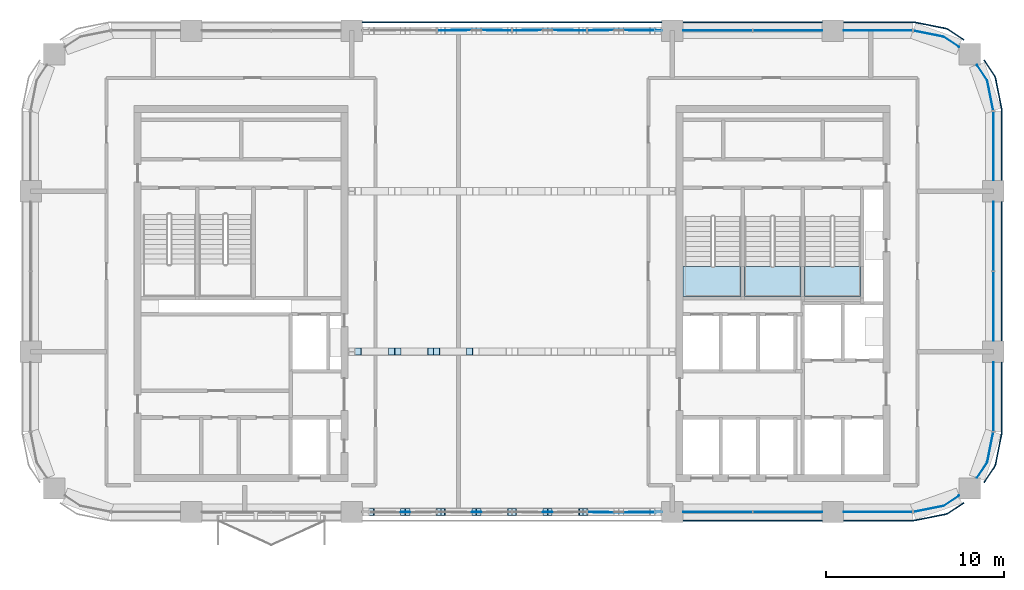
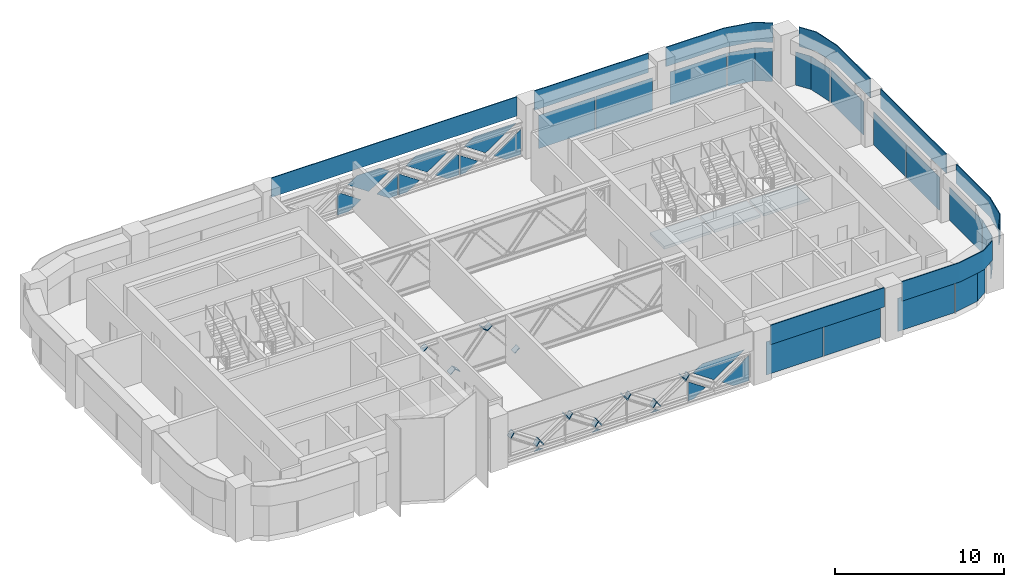
# One storey, part 7 of 14: 56 plates, 3 slabs, 12 elements without a shape of their own.
"""IFC4 building model written with IfcOpenShell, lengths in metres."""

from ifc_helpers import new_model, si_unit, direction, frame, origin, origin_2d, place, context, subcontext, project, spatial, polyline, rectangle, outline, extrude, material, layer, layer_set, type_object, element, aggregate, save


model = new_model("IFC4")

# Units and contexts
model_context = context("Model", 3, precision=1e-05, world=origin(), true_north=direction((0.0, 1.0)))
body_context = subcontext(model_context, "Body", "Model", "MODEL_VIEW")
ifc_project = project(units=[si_unit("LENGTHUNIT", "METRE"), si_unit("AREAUNIT", "SQUARE_METRE"), si_unit("VOLUMEUNIT", "CUBIC_METRE"), si_unit("PLANEANGLEUNIT", "RADIAN"), si_unit("MASSUNIT", "GRAM", prefix="KILO")], contexts=[model_context])

# Site, building, storey
site_placement = place(None, origin())
site = spatial("IfcSite", under=ifc_project, at=site_placement, CompositionType="ELEMENT")
building_placement = place(site_placement, origin())
building = spatial("IfcBuilding", under=site, at=building_placement, Name="Tessera Arch", CompositionType="ELEMENT")
storey_placement = place(building_placement, frame((0.0, 0.0, 226.699951171875)))
storey = spatial("IfcBuildingStorey", under=building, at=storey_placement, Name="L54", CompositionType="ELEMENT", Elevation=226.699951171875)

# Curtain wall, plates
ifc_material_1 = material(Name="CW1 curtain wall")
curtain_wall_type_1 = type_object("IfcCurtainWallType", Name="CW1 curtain wall", PredefinedType="NOTDEFINED", material=ifc_material_1)
curtain_wall_1_placement = place(storey_placement, origin())
curtain_wall_1 = element("IfcCurtainWall", 1, at=curtain_wall_1_placement, inside=storey, type_object=curtain_wall_type_1, Name="CW1 curtain wall E54.27/0 L54", PredefinedType="NOTDEFINED")
ifc_material_2 = material(Name="Clear low-e glass", Category="glass")
ifc_material_3 = material(Name="Clear low-e glass", Category="glass")
ifc_layer_1 = layer(ifc_material_3, 0.028076171875)
ifc_layer_set_1 = layer_set([ifc_layer_1], Name="CW1 glass panel")
plate_type_1 = type_object("IfcPlateType", Name="CW1 glass panel", PredefinedType="CURTAIN_PANEL", material=ifc_layer_set_1)
plate_1_placement = place(storey_placement, frame((54.0, 38.534912109375, 0.0), z_axis=(0.0, 0.0, 1.0), x_axis=(0.0, 1.0, 0.0)))
plate_1 = element("IfcPlate", 2, at=plate_1_placement, type_object=plate_type_1, material=ifc_material_2, Name="CW1 glass panel E54.27/0 1.1.1", PredefinedType="CURTAIN_PANEL", context=body_context, shape_type="SweptSolid", body=[
    extrude(rectangle(XDim=3.8701171875, YDim=0.028076171875, at=origin_2d()), origin(), (0.0, 0.0, 1.0), 2.39990234375),
])
plate_2_placement = place(storey_placement, frame((54.0, 42.465087890625, 0.0), z_axis=(0.0, 0.0, 1.0), x_axis=(0.0, 1.0, 0.0)))
plate_2 = element("IfcPlate", 3, at=plate_2_placement, type_object=plate_type_1, material=ifc_material_2, Name="CW1 glass panel E54.27/0 1.2.1", PredefinedType="CURTAIN_PANEL", context=body_context, shape_type="SweptSolid", body=[
    extrude(rectangle(XDim=3.8701171875, YDim=0.028076171875, at=origin_2d()), origin(), (0.0, 0.0, 1.0), 2.39990234375),
])

curtain_wall_2_placement = place(storey_placement, origin())
curtain_wall_2 = element("IfcCurtainWall", 4, at=curtain_wall_2_placement, inside=storey, type_object=curtain_wall_type_1, Name="CW1 curtain wall N54.0/1 L54", PredefinedType="NOTDEFINED")
plate_3_placement = place(storey_placement, frame((42.465087890625, 54.0, 0.0), z_axis=(0.0, 0.0, 1.0), x_axis=(-1.0, 0.0, 0.0)))
plate_3 = element("IfcPlate", 5, at=plate_3_placement, type_object=plate_type_1, material=ifc_material_2, Name="CW1 glass panel N54.0/1 1.1.1", PredefinedType="CURTAIN_PANEL", context=body_context, shape_type="SweptSolid", body=[
    extrude(rectangle(XDim=3.8701171875, YDim=0.028076171875, at=origin_2d()), origin(), (0.0, 0.0, 1.0), 2.39990234375),
])
plate_4_placement = place(storey_placement, frame((38.534912109375, 54.0, 0.0), z_axis=(0.0, 0.0, 1.0), x_axis=(-1.0, 0.0, 0.0)))
plate_4 = element("IfcPlate", 6, at=plate_4_placement, type_object=plate_type_1, material=ifc_material_2, Name="CW1 glass panel N54.0/1 1.2.1", PredefinedType="CURTAIN_PANEL", context=body_context, shape_type="SweptSolid", body=[
    extrude(rectangle(XDim=3.8701171875, YDim=0.028076171875, at=origin_2d()), origin(), (0.0, 0.0, 1.0), 2.39990234375),
])

curtain_wall_3_placement = place(storey_placement, origin())
curtain_wall_3 = element("IfcCurtainWall", 7, at=curtain_wall_3_placement, inside=storey, type_object=curtain_wall_type_1, Name="CW1 curtain wall S27.0/3 L54", PredefinedType="NOTDEFINED")
plate_5_placement = place(storey_placement, frame((38.534912109375, 27.0, 0.0), z_axis=(0.0, 0.0, 1.0), x_axis=(1.0, 0.0, 0.0)))
plate_5 = element("IfcPlate", 8, at=plate_5_placement, type_object=plate_type_1, material=ifc_material_2, Name="CW1 glass panel S27.0/3 1.1.1", PredefinedType="CURTAIN_PANEL", context=body_context, shape_type="SweptSolid", body=[
    extrude(rectangle(XDim=3.8701171875, YDim=0.028076171875, at=origin_2d()), origin(), (0.0, 0.0, 1.0), 2.39990234375),
])
plate_6_placement = place(storey_placement, frame((42.465087890625, 27.0, 0.0), z_axis=(0.0, 0.0, 1.0), x_axis=(1.0, 0.0, 0.0)))
plate_6 = element("IfcPlate", 9, at=plate_6_placement, type_object=plate_type_1, material=ifc_material_2, Name="CW1 glass panel S27.0/3 1.2.1", PredefinedType="CURTAIN_PANEL", context=body_context, shape_type="SweptSolid", body=[
    extrude(rectangle(XDim=3.8701171875, YDim=0.028076171875, at=origin_2d()), origin(), (0.0, 0.0, 1.0), 2.39990234375),
])

# Plate
ifc_material_4 = material(Name="Pale anodised aluminium panel", Category="aluminium")
ifc_layer_2 = layer(ifc_material_4, 0.06005859375)
ifc_layer_set_2 = layer_set([ifc_layer_2], Name="CW1 spandrel panel")
plate_type_2 = type_object("IfcPlateType", Name="CW1 spandrel panel", PredefinedType="CURTAIN_PANEL", material=ifc_layer_set_2)
plate_7_placement = place(storey_placement, frame((54.47998046875, 40.5, 2.5), z_axis=(0.0, 0.0, 1.0), x_axis=(0.0, 1.0, 0.0)))
plate_7 = element("IfcPlate", 10, at=plate_7_placement, type_object=plate_type_2, Name="CW1 spandrel panel E54.27/0", PredefinedType="CURTAIN_PANEL", context=body_context, shape_type="SweptSolid", body=[
    extrude(rectangle(XDim=7.800048828125, YDim=0.06005859375, at=origin_2d()), origin(), (0.0, 0.0, 1.0), 1.39990234375),
])

aggregate(curtain_wall_1, [plate_1, plate_2, plate_7])

plate_8_placement = place(storey_placement, frame((40.5, 54.47998046875, 2.5), z_axis=(0.0, 0.0, 1.0), x_axis=(-1.0, 0.0, 0.0)))
plate_8 = element("IfcPlate", 11, at=plate_8_placement, type_object=plate_type_2, Name="CW1 spandrel panel N54.0/1", PredefinedType="CURTAIN_PANEL", context=body_context, shape_type="SweptSolid", body=[
    extrude(rectangle(XDim=7.800048828125, YDim=0.06005859375, at=origin_2d()), origin(), (0.0, 0.0, 1.0), 1.39990234375),
])

aggregate(curtain_wall_2, [plate_3, plate_4, plate_8])

plate_9_placement = place(storey_placement, frame((40.5, 26.52001953125, 2.5), z_axis=(0.0, 0.0, 1.0), x_axis=(1.0, 0.0, 0.0)))
plate_9 = element("IfcPlate", 12, at=plate_9_placement, type_object=plate_type_2, Name="CW1 spandrel panel S27.0/3", PredefinedType="CURTAIN_PANEL", context=body_context, shape_type="SweptSolid", body=[
    extrude(rectangle(XDim=7.800048828125, YDim=0.06005859375, at=origin_2d()), origin(), (0.0, 0.0, 1.0), 1.39990234375),
])

aggregate(curtain_wall_3, [plate_5, plate_6, plate_9])

# Curtain wall, plates
ifc_material_5 = material(Name="CW2 curtain wall")
curtain_wall_type_2 = type_object("IfcCurtainWallType", Name="CW2 curtain wall", PredefinedType="NOTDEFINED", material=ifc_material_5)
curtain_wall_4_placement = place(storey_placement, origin())
curtain_wall_4 = element("IfcCurtainWall", 13, at=curtain_wall_4_placement, inside=storey, type_object=curtain_wall_type_2, Name="CW2 curtain wall E54.27/1 L54", PredefinedType="NOTDEFINED")
ifc_material_6 = material(Name="Clear low-e glass", Category="glass")
ifc_layer_3 = layer(ifc_material_6, 0.028076171875)
ifc_layer_set_3 = layer_set([ifc_layer_3], Name="CW2 glass panel")
plate_type_3 = type_object("IfcPlateType", Name="CW2 glass panel", PredefinedType="CURTAIN_PANEL", material=ifc_layer_set_3)
plate_10_placement = place(storey_placement, frame((54.0, 47.530029296875, 0.0), z_axis=(0.0, 0.0, 1.0), x_axis=(0.0, 1.0, 0.0)))
plate_10 = element("IfcPlate", 14, at=plate_10_placement, type_object=plate_type_3, material=ifc_material_2, Name="CW2 glass panel E54.27/1 1.1", PredefinedType="CURTAIN_PANEL", context=body_context, shape_type="SweptSolid", body=[
    extrude(rectangle(XDim=3.860107421875, YDim=0.028076171875, at=origin_2d()), origin(), (0.0, 0.0, 1.0), 2.39990234375),
])
plate_11_placement = place(storey_placement, origin())
plate_11 = element("IfcPlate", 15, at=plate_11_placement, type_object=plate_type_3, material=ifc_material_2, Name="CW2 curved glass panel E54.27/1 2.1", PredefinedType="CURTAIN_PANEL", context=body_context, shape_type="SweptSolid", body=[
    extrude(outline(polyline([(53.644287109375, 51.216552734375), (53.978515625, 49.53662109375), (54.005859375, 49.5419921875), (53.670654296875, 51.2275390625), (53.094482421875, 52.08984375), (53.0712890625, 52.07421875), (53.644287109375, 51.216552734375)])), origin(), (0.0, 0.0, 1.0), 2.400146484375),
])

curtain_wall_5_placement = place(storey_placement, origin())
curtain_wall_5 = element("IfcCurtainWall", 16, at=curtain_wall_5_placement, inside=storey, type_object=curtain_wall_type_2, Name="CW2 curtain wall N54.0/0 L54", PredefinedType="NOTDEFINED")
plate_12_placement = place(storey_placement, frame((47.530029296875, 54.0, 0.0), z_axis=(0.0, 0.0, 1.0), x_axis=(-1.0, 0.0, 0.0)))
plate_12 = element("IfcPlate", 17, at=plate_12_placement, type_object=plate_type_3, material=ifc_material_2, Name="CW2 glass panel N54.0/0 1.1", PredefinedType="CURTAIN_PANEL", context=body_context, shape_type="SweptSolid", body=[
    extrude(rectangle(XDim=3.860107421875, YDim=0.028076171875, at=origin_2d()), origin(), (0.0, 0.0, 1.0), 2.39990234375),
])
plate_13_placement = place(storey_placement, origin())
plate_13 = element("IfcPlate", 18, at=plate_13_placement, type_object=plate_type_3, material=ifc_material_2, Name="CW2 curved glass panel N54.0/0 2.1", PredefinedType="CURTAIN_PANEL", context=body_context, shape_type="SweptSolid", body=[
    extrude(outline(polyline([(51.216552734375, 53.644287109375), (52.07421875, 53.0712890625), (52.08984375, 53.094482421875), (51.2275390625, 53.670654296875), (49.5419921875, 54.005859375), (49.53662109375, 53.978515625), (51.216552734375, 53.644287109375)])), origin(), (0.0, 0.0, 1.0), 2.400146484375),
])

curtain_wall_6_placement = place(storey_placement, origin())
curtain_wall_6 = element("IfcCurtainWall", 19, at=curtain_wall_6_placement, inside=storey, type_object=curtain_wall_type_2, Name="CW2 curtain wall S27.0/4 L54", PredefinedType="NOTDEFINED")
plate_14_placement = place(storey_placement, frame((47.530029296875, 27.0, 0.0), z_axis=(0.0, 0.0, 1.0), x_axis=(1.0, 0.0, 0.0)))
plate_14 = element("IfcPlate", 20, at=plate_14_placement, type_object=plate_type_3, material=ifc_material_2, Name="CW2 glass panel S27.0/4 1.1", PredefinedType="CURTAIN_PANEL", context=body_context, shape_type="SweptSolid", body=[
    extrude(rectangle(XDim=3.860107421875, YDim=0.028076171875, at=origin_2d()), origin(), (0.0, 0.0, 1.0), 2.39990234375),
])
plate_15_placement = place(storey_placement, origin())
plate_15 = element("IfcPlate", 21, at=plate_15_placement, type_object=plate_type_3, material=ifc_material_2, Name="CW2 curved glass panel S27.0/4 2.1", PredefinedType="CURTAIN_PANEL", context=body_context, shape_type="SweptSolid", body=[
    extrude(outline(polyline([(51.216552734375, 27.355712890625), (49.53662109375, 27.021484375), (49.5419921875, 26.994140625), (51.2275390625, 27.329345703125), (52.08984375, 27.905517578125), (52.07421875, 27.9287109375), (51.216552734375, 27.355712890625)])), origin(), (0.0, 0.0, 1.0), 2.400146484375),
])

curtain_wall_7_placement = place(storey_placement, origin())
curtain_wall_7 = element("IfcCurtainWall", 22, at=curtain_wall_7_placement, inside=storey, type_object=curtain_wall_type_2, Name="CW2 curtain wall E54.27/2 L54", PredefinedType="NOTDEFINED")
plate_16_placement = place(storey_placement, frame((54.0, 33.469970703125, 0.0), z_axis=(0.0, 0.0, 1.0), x_axis=(0.0, 1.0, 0.0)))
plate_16 = element("IfcPlate", 23, at=plate_16_placement, type_object=plate_type_3, material=ifc_material_2, Name="CW2 glass panel E54.27/2 1.1", PredefinedType="CURTAIN_PANEL", context=body_context, shape_type="SweptSolid", body=[
    extrude(rectangle(XDim=3.860107421875, YDim=0.028076171875, at=origin_2d()), origin(), (0.0, 0.0, 1.0), 2.39990234375),
])
plate_17_placement = place(storey_placement, origin())
plate_17 = element("IfcPlate", 24, at=plate_17_placement, type_object=plate_type_3, material=ifc_material_2, Name="CW2 curved glass panel E54.27/2 2.1", PredefinedType="CURTAIN_PANEL", context=body_context, shape_type="SweptSolid", body=[
    extrude(outline(polyline([(53.644287109375, 29.783447265625), (53.0712890625, 28.92578125), (53.094482421875, 28.91015625), (53.670654296875, 29.7724609375), (54.005859375, 31.4580078125), (53.978515625, 31.46337890625), (53.644287109375, 29.783447265625)])), origin(), (0.0, 0.0, 1.0), 2.400146484375),
])

# Plate
ifc_material_7 = material(Name="Pale anodised aluminium panel", Category="aluminium")
ifc_layer_4 = layer(ifc_material_7, 0.06005859375)
ifc_layer_set_4 = layer_set([ifc_layer_4], Name="CW2 spandrel panel")
plate_type_4 = type_object("IfcPlateType", Name="CW2 spandrel panel", PredefinedType="CURTAIN_PANEL", material=ifc_layer_set_4)
plate_18_placement = place(storey_placement, frame((0.0, 0.0, 2.5)))
plate_18 = element("IfcPlate", 25, at=plate_18_placement, type_object=plate_type_4, Name="CW2 spandrel panel E54.27/1", PredefinedType="CURTAIN_PANEL", context=body_context, shape_type="SweptSolid", body=[
    extrude(outline(polyline([(54.449951171875, 49.499267578125), (54.449951171875, 45.60009765625), (54.510009765625, 45.60009765625), (54.510009765625, 49.500732421875), (54.507568359375, 49.550048828125), (54.500244140625, 49.598876953125), (54.157470703125, 51.322265625), (54.1455078125, 51.3701171875), (54.128662109375, 51.417236328125), (54.107421875, 51.462646484375), (54.08203125, 51.5048828125), (53.5068359375, 52.365234375), (53.45703125, 52.33203125), (54.03125, 51.47265625), (54.054443359375, 51.434326171875), (54.0732421875, 51.394287109375), (54.088134765625, 51.352783203125), (54.09912109375, 51.30908203125), (54.441162109375, 49.588623046875), (54.44775390625, 49.544189453125), (54.449951171875, 49.499267578125)])), origin(), (0.0, 0.0, 1.0), 1.400146484375),
])

aggregate(curtain_wall_4, [plate_10, plate_11, plate_18])

plate_19_placement = place(storey_placement, frame((0.0, 0.0, 2.5)))
plate_19 = element("IfcPlate", 26, at=plate_19_placement, type_object=plate_type_4, Name="CW2 spandrel panel N54.0/0", PredefinedType="CURTAIN_PANEL", context=body_context, shape_type="SweptSolid", body=[
    extrude(outline(polyline([(51.47265625, 54.03125), (52.33203125, 53.45703125), (52.365234375, 53.5068359375), (51.5048828125, 54.08203125), (51.462646484375, 54.107421875), (51.417236328125, 54.128662109375), (51.3701171875, 54.1455078125), (51.322265625, 54.157470703125), (49.598876953125, 54.500244140625), (49.550048828125, 54.507568359375), (49.500732421875, 54.510009765625), (45.60009765625, 54.510009765625), (45.60009765625, 54.449951171875), (49.499267578125, 54.449951171875), (49.544189453125, 54.44775390625), (49.588623046875, 54.441162109375), (51.30908203125, 54.09912109375), (51.352783203125, 54.088134765625), (51.394287109375, 54.0732421875), (51.434326171875, 54.054443359375), (51.47265625, 54.03125)])), origin(), (0.0, 0.0, 1.0), 1.400146484375),
])

aggregate(curtain_wall_5, [plate_12, plate_13, plate_19])

plate_20_placement = place(storey_placement, frame((0.0, 0.0, 2.5)))
plate_20 = element("IfcPlate", 27, at=plate_20_placement, type_object=plate_type_4, Name="CW2 spandrel panel S27.0/4", PredefinedType="CURTAIN_PANEL", context=body_context, shape_type="SweptSolid", body=[
    extrude(outline(polyline([(49.499267578125, 26.550048828125), (45.60009765625, 26.550048828125), (45.60009765625, 26.489990234375), (49.500732421875, 26.489990234375), (49.550048828125, 26.492431640625), (49.598876953125, 26.499755859375), (51.322265625, 26.842529296875), (51.3701171875, 26.8544921875), (51.417236328125, 26.871337890625), (51.462646484375, 26.892578125), (51.5048828125, 26.91796875), (52.365234375, 27.4931640625), (52.33203125, 27.54296875), (51.47265625, 26.96875), (51.434326171875, 26.945556640625), (51.394287109375, 26.9267578125), (51.352783203125, 26.911865234375), (51.30908203125, 26.90087890625), (49.588623046875, 26.558837890625), (49.544189453125, 26.55224609375), (49.499267578125, 26.550048828125)])), origin(), (0.0, 0.0, 1.0), 1.400146484375),
])

aggregate(curtain_wall_6, [plate_14, plate_15, plate_20])

plate_21_placement = place(storey_placement, frame((0.0, 0.0, 2.5)))
plate_21 = element("IfcPlate", 28, at=plate_21_placement, type_object=plate_type_4, Name="CW2 spandrel panel E54.27/2", PredefinedType="CURTAIN_PANEL", context=body_context, shape_type="SweptSolid", body=[
    extrude(outline(polyline([(54.03125, 29.52734375), (53.45703125, 28.66796875), (53.5068359375, 28.634765625), (54.08203125, 29.4951171875), (54.107421875, 29.537353515625), (54.128662109375, 29.582763671875), (54.1455078125, 29.6298828125), (54.157470703125, 29.677734375), (54.500244140625, 31.401123046875), (54.507568359375, 31.449951171875), (54.510009765625, 31.499267578125), (54.510009765625, 35.39990234375), (54.449951171875, 35.39990234375), (54.449951171875, 31.500732421875), (54.44775390625, 31.455810546875), (54.441162109375, 31.411376953125), (54.09912109375, 29.69091796875), (54.088134765625, 29.647216796875), (54.0732421875, 29.605712890625), (54.054443359375, 29.565673828125), (54.03125, 29.52734375)])), origin(), (0.0, 0.0, 1.0), 1.400146484375),
])

aggregate(curtain_wall_7, [plate_16, plate_17, plate_21])

# Curtain wall, plates
ifc_material_8 = material(Name="CW4 curtain wall")
curtain_wall_type_3 = type_object("IfcCurtainWallType", Name="CW4 curtain wall", PredefinedType="NOTDEFINED", material=ifc_material_8)
curtain_wall_8_placement = place(storey_placement, origin())
curtain_wall_8 = element("IfcCurtainWall", 29, at=curtain_wall_8_placement, inside=storey, type_object=curtain_wall_type_3, Name="CW4 curtain wall N54.0/2 L54", PredefinedType="NOTDEFINED")
ifc_material_9 = material(Name="Clear low-e glass", Category="glass")
ifc_layer_5 = layer(ifc_material_9, 0.028076171875)
ifc_layer_set_5 = layer_set([ifc_layer_5], Name="CW4 glass panel")
plate_type_5 = type_object("IfcPlateType", Name="CW4 glass panel", PredefinedType="CURTAIN_PANEL", material=ifc_layer_set_5)
plate_22_placement = place(storey_placement, frame((35.39990234375, 54.013916015625, 0.0), z_axis=(0.0, 1.0, 0.0), x_axis=(-1.0, 0.0, 0.0)))
plate_22 = element("IfcPlate", 30, at=plate_22_placement, type_object=plate_type_5, material=ifc_material_2, Name="CW4 fitted glass panel N54.0/2 1", PredefinedType="CURTAIN_PANEL", context=body_context, shape_type="SweptSolid", body=[
    extrude(outline(polyline([(0.0, 0.0), (1.027099609375, 0.0), (1.864990234375, 0.570556640625), (0.0, 1.840576171875), (0.0, 0.0)])), origin(), (0.0, 0.0, -1.0), 0.028076171875),
])
plate_23_placement = place(storey_placement, frame((32.20068359375, 54.0419921875, 2.380126953125), z_axis=(0.0, 1.0, 0.0), x_axis=(1.0, 0.0, 0.0)))
plate_23 = element("IfcPlate", 31, at=plate_23_placement, type_object=plate_type_5, material=ifc_material_2, Name="CW4 fitted glass panel N54.0/2 2", PredefinedType="CURTAIN_PANEL", context=body_context, shape_type="SweptSolid", body=[
    extrude(outline(polyline([(0.0, 0.0), (2.896728515625, 0.0), (0.786865234375, 1.436767578125), (-0.66162109375, 0.45068359375), (0.0, 0.0)])), origin(), (0.0, 0.0, -1.0), 0.028076171875),
])
plate_24_placement = place(storey_placement, frame((31.239990234375, 54.013916015625, 0.0), z_axis=(0.0, 1.0, 0.0), x_axis=(0.0, 0.0, 1.0)))
plate_24 = element("IfcPlate", 32, at=plate_24_placement, type_object=plate_type_5, material=ifc_material_2, Name="CW4 fitted glass panel N54.0/2 4", PredefinedType="CURTAIN_PANEL", context=body_context, shape_type="SweptSolid", body=[
    extrude(outline(polyline([(0.0, 0.0), (1.3876953125, 0.0), (0.570556640625, 1.199951171875), (0.0, 0.3623046875), (0.0, 0.0)])), origin(), (0.0, 0.0, -1.0), 0.028076171875),
])
plate_25_placement = place(storey_placement, frame((31.159912109375, 54.013916015625, 0.0), z_axis=(0.0, 1.0, 0.0), x_axis=(-1.0, 0.0, 0.0)))
plate_25 = element("IfcPlate", 33, at=plate_25_placement, type_object=plate_type_5, material=ifc_material_2, Name="CW4 fitted glass panel N54.0/2 5", PredefinedType="CURTAIN_PANEL", context=body_context, shape_type="SweptSolid", body=[
    extrude(outline(polyline([(0.0, 0.0), (0.77880859375, 0.0), (1.61669921875, 0.570556640625), (0.168212890625, 1.556640625), (0.0, 1.442138671875), (0.0, 0.0)])), origin(), (0.0, 0.0, -1.0), 0.028076171875),
])
plate_26_placement = place(storey_placement, frame((28.208984375, 54.0419921875, 2.380126953125), z_axis=(0.0, 1.0, 0.0), x_axis=(1.0, 0.0, 0.0)))
plate_26 = element("IfcPlate", 34, at=plate_26_placement, type_object=plate_type_5, material=ifc_material_2, Name="CW4 fitted glass panel N54.0/2 7", PredefinedType="CURTAIN_PANEL", context=body_context, shape_type="SweptSolid", body=[
    extrude(outline(polyline([(0.0, 0.0), (1.573486328125, 0.0), (2.235107421875, 0.45068359375), (0.786865234375, 1.436767578125), (-0.66162109375, 0.45068359375), (0.0, 0.0)])), origin(), (0.0, 0.0, -1.0), 0.028076171875),
])
plate_27_placement = place(storey_placement, frame((27.0400390625, 54.013916015625, 0.0), z_axis=(0.0, 1.0, 0.0), x_axis=(0.0, 0.0, 1.0)))
plate_27 = element("IfcPlate", 35, at=plate_27_placement, type_object=plate_type_5, material=ifc_material_2, Name="CW4 fitted glass panel N54.0/2 8", PredefinedType="CURTAIN_PANEL", context=body_context, shape_type="SweptSolid", body=[
    extrude(outline(polyline([(0.0, 0.0), (1.529541015625, 0.0), (0.570556640625, 1.408203125), (0.0, 0.570556640625), (0.0, 0.0)])), origin(), (0.0, 0.0, -1.0), 0.028076171875),
])
plate_28_placement = place(storey_placement, frame((26.9599609375, 54.013916015625, 0.0), z_axis=(0.0, 1.0, 0.0), x_axis=(-1.0, 0.0, 0.0)))
plate_28 = element("IfcPlate", 36, at=plate_28_placement, type_object=plate_type_5, material=ifc_material_2, Name="CW4 fitted glass panel N54.0/2 9", PredefinedType="CURTAIN_PANEL", context=body_context, shape_type="SweptSolid", body=[
    extrude(outline(polyline([(0.0, 0.0), (0.570556640625, 0.0), (1.408203125, 0.570556640625), (0.0, 1.529541015625), (0.0, 0.0)])), origin(), (0.0, 0.0, -1.0), 0.028076171875),
])
plate_29_placement = place(storey_placement, frame((24.217529296875, 54.0419921875, 2.380126953125), z_axis=(0.0, 1.0, 0.0), x_axis=(1.0, 0.0, 0.0)))
plate_29 = element("IfcPlate", 37, at=plate_29_placement, type_object=plate_type_5, material=ifc_material_2, Name="CW4 fitted glass panel N54.0/2 11", PredefinedType="CURTAIN_PANEL", context=body_context, shape_type="SweptSolid", body=[
    extrude(outline(polyline([(0.0, 0.0), (1.573486328125, 0.0), (2.235107421875, 0.45068359375), (0.78662109375, 1.436767578125), (-0.66162109375, 0.45068359375), (0.0, 0.0)])), origin(), (0.0, 0.0, -1.0), 0.028076171875),
])
plate_30_placement = place(storey_placement, frame((22.840087890625, 54.013916015625, 0.0), z_axis=(0.0, 1.0, 0.0), x_axis=(0.0, 0.0, 1.0)))
plate_30 = element("IfcPlate", 38, at=plate_30_placement, type_object=plate_type_5, material=ifc_material_2, Name="CW4 fitted glass panel N54.0/2 12", PredefinedType="CURTAIN_PANEL", context=body_context, shape_type="SweptSolid", body=[
    extrude(outline(polyline([(0.0, 0.0), (1.442138671875, 0.0), (1.556640625, 0.168212890625), (0.570556640625, 1.61669921875), (0.0, 0.77880859375), (0.0, 0.0)])), origin(), (0.0, 0.0, -1.0), 0.028076171875),
])

curtain_wall_9_placement = place(storey_placement, origin())
curtain_wall_9 = element("IfcCurtainWall", 39, at=curtain_wall_9_placement, inside=storey, type_object=curtain_wall_type_3, Name="CW4 curtain wall S27.0/2 L54", PredefinedType="NOTDEFINED")
plate_31_placement = place(storey_placement, frame((20.72216796875, 26.986083984375, 0.0), z_axis=(0.0, -1.0, 0.0), x_axis=(1.0, 0.0, 0.0)))
plate_31 = element("IfcPlate", 40, at=plate_31_placement, type_object=plate_type_5, material=ifc_material_2, Name="CW4 fitted glass panel S27.0/2 3", PredefinedType="CURTAIN_PANEL", context=body_context, shape_type="SweptSolid", body=[
    extrude(outline(polyline([(0.0, 0.0), (0.58056640625, 0.0), (0.290283203125, 0.19775390625), (0.0, 0.0)])), origin(), (0.0, 0.0, -1.0), 0.028076171875),
])
plate_32_placement = place(storey_placement, frame((24.7138671875, 26.986083984375, 0.0), z_axis=(0.0, -1.0, 0.0), x_axis=(1.0, 0.0, 0.0)))
plate_32 = element("IfcPlate", 41, at=plate_32_placement, type_object=plate_type_5, material=ifc_material_2, Name="CW4 fitted glass panel S27.0/2 6", PredefinedType="CURTAIN_PANEL", context=body_context, shape_type="SweptSolid", body=[
    extrude(outline(polyline([(0.0, 0.0), (0.58056640625, 0.0), (0.290283203125, 0.19775390625), (0.0, 0.0)])), origin(), (0.0, 0.0, -1.0), 0.028076171875),
])
plate_33_placement = place(storey_placement, frame((28.70556640625, 26.986083984375, 0.0), z_axis=(0.0, -1.0, 0.0), x_axis=(1.0, 0.0, 0.0)))
plate_33 = element("IfcPlate", 42, at=plate_33_placement, type_object=plate_type_5, material=ifc_material_2, Name="CW4 fitted glass panel S27.0/2 10", PredefinedType="CURTAIN_PANEL", context=body_context, shape_type="SweptSolid", body=[
    extrude(outline(polyline([(0.0, 0.0), (0.58056640625, 0.0), (0.290283203125, 0.19775390625), (0.0, 0.0)])), origin(), (0.0, 0.0, -1.0), 0.028076171875),
])
plate_34_placement = place(storey_placement, frame((31.239990234375, 26.986083984375, 0.0), z_axis=(0.0, -1.0, 0.0), x_axis=(1.0, 0.0, 0.0)))
plate_34 = element("IfcPlate", 43, at=plate_34_placement, type_object=plate_type_5, material=ifc_material_2, Name="CW4 fitted glass panel S27.0/2 13", PredefinedType="CURTAIN_PANEL", context=body_context, shape_type="SweptSolid", body=[
    extrude(outline(polyline([(0.0, 0.0), (0.3623046875, 0.0), (1.199951171875, 0.570556640625), (0.0, 1.3876953125), (0.0, 0.0)])), origin(), (0.0, 0.0, -1.0), 0.028076171875),
])
plate_35_placement = place(storey_placement, frame((35.097412109375, 26.9580078125, 2.380126953125), z_axis=(0.0, -1.0, 0.0), x_axis=(-1.0, 0.0, 0.0)))
plate_35 = element("IfcPlate", 44, at=plate_35_placement, type_object=plate_type_5, material=ifc_material_2, Name="CW4 fitted glass panel S27.0/2 15", PredefinedType="CURTAIN_PANEL", context=body_context, shape_type="SweptSolid", body=[
    extrude(outline(polyline([(0.0, 0.0), (2.896728515625, 0.0), (3.558349609375, 0.45068359375), (2.10986328125, 1.436767578125), (0.0, 0.0)])), origin(), (0.0, 0.0, -1.0), 0.028076171875),
])
plate_36_placement = place(storey_placement, frame((35.39990234375, 26.986083984375, 0.0), z_axis=(0.0, -1.0, 0.0), x_axis=(0.0, 0.0, 1.0)))
plate_36 = element("IfcPlate", 45, at=plate_36_placement, type_object=plate_type_5, material=ifc_material_2, Name="CW4 fitted glass panel S27.0/2 16", PredefinedType="CURTAIN_PANEL", context=body_context, shape_type="SweptSolid", body=[
    extrude(outline(polyline([(0.0, 0.0), (1.840576171875, 0.0), (0.570556640625, 1.864990234375), (0.0, 1.027099609375), (0.0, 0.0)])), origin(), (0.0, 0.0, -1.0), 0.028076171875),
])
aggregate(curtain_wall_9, [plate_31, plate_32, plate_33, plate_34, plate_35, plate_36])

# Plate
ifc_material_10 = material(Name="Pale anodised aluminium panel", Category="aluminium")
ifc_layer_6 = layer(ifc_material_10, 0.06005859375)
ifc_layer_set_6 = layer_set([ifc_layer_6], Name="CW4 spandrel panel")
plate_type_6 = type_object("IfcPlateType", Name="CW4 spandrel panel", PredefinedType="CURTAIN_PANEL", material=ifc_layer_set_6)
plate_37_placement = place(storey_placement, frame((27.0, 54.47998046875, 2.5), z_axis=(0.0, 0.0, 1.0), x_axis=(-1.0, 0.0, 0.0)))
plate_37 = element("IfcPlate", 46, at=plate_37_placement, type_object=plate_type_6, Name="CW4 spandrel panel N54.0/2", PredefinedType="CURTAIN_PANEL", context=body_context, shape_type="SweptSolid", body=[
    extrude(rectangle(XDim=16.800048828125, YDim=0.06005859375, at=origin_2d()), origin(), (0.0, 0.0, 1.0), 1.39990234375),
])

aggregate(curtain_wall_8, [plate_22, plate_23, plate_24, plate_25, plate_26, plate_27, plate_28, plate_29, plate_30, plate_37])

# Plates
ifc_material_11 = material(Name="Steel A572 Gr50", Category="steel")
ifc_layer_7 = layer(ifc_material_11, 0.050048828125)
ifc_layer_set_7 = layer_set([ifc_layer_7], Name="End plate W14x311")
plate_type_7 = type_object("IfcPlateType", Name="End plate W14x311", PredefinedType="SHEET", material=ifc_layer_set_7)
for number, where, z_axis, x_axis, name in (
    (47, (19.112548828125, 27.0, 1.8642578125), (0.826744481423, 0.0, -0.562577605702), (0.0, 1.0, 0.0), "End plate Bridge truss diagonal 1 end 1"),
    (48, (20.87548828125, 27.0, 0.663818359375), (0.826744481423, 0.0, -0.562577605702), (0.0, 1.0, 0.0), "End plate Bridge truss diagonal 1 end 2"),
    (49, (21.1083984375, 27.0, 0.6357421875), (0.826744481423, 0.0, 0.562577605702), (0.0, 1.0, 0.0), "End plate Bridge truss diagonal 2 end 1"),
    (50, (22.871337890625, 27.0, 1.836181640625), (0.826744481423, 0.0, 0.562577605702), (0.0, 1.0, 0.0), "End plate Bridge truss diagonal 2 end 2"),
):
    element("IfcPlate", number, at=place(storey_placement, frame(where, z_axis=z_axis, x_axis=x_axis)), inside=storey, type_object=plate_type_7, Name=name, PredefinedType="SHEET", context=body_context, shape_type="SweptSolid", body=[
        extrude(rectangle(XDim=0.411376953125, YDim=0.434326171875, at=origin_2d()), origin(), (0.0, 0.0, 1.0), 0.0498046875),
    ])
for number, where, z_axis, x_axis, name in (
    (51, (23.10400390625, 27.0, 1.8642578125), (0.828283413128, 0.0, -0.560309367704), (0.0, 1.0, 0.0), "End plate Bridge truss diagonal 3 end 1"),
    (52, (24.866943359375, 27.0, 0.663818359375), (0.828283413128, 0.0, -0.560309367704), (0.0, 1.0, 0.0), "End plate Bridge truss diagonal 3 end 2"),
    (53, (25.099853515625, 27.0, 0.6357421875), (0.828283413128, 0.0, 0.560309367704), (0.0, 1.0, 0.0), "End plate Bridge truss diagonal 4 end 1"),
    (54, (26.86279296875, 27.0, 1.836181640625), (0.828283413128, 0.0, 0.560309367704), (0.0, 1.0, 0.0), "End plate Bridge truss diagonal 4 end 2"),
    (55, (27.095703125, 27.0, 1.8642578125), (0.828283413128, 0.0, -0.560309367704), (0.0, 1.0, 0.0), "End plate Bridge truss diagonal 5 end 1"),
    (56, (28.858642578125, 27.0, 0.663818359375), (0.828283413128, 0.0, -0.560309367704), (0.0, 1.0, 0.0), "End plate Bridge truss diagonal 5 end 2"),
    (57, (29.091552734375, 27.0, 0.6357421875), (0.828283413128, 0.0, 0.560309367704), (0.0, 1.0, 0.0), "End plate Bridge truss diagonal 6 end 1"),
    (58, (30.8544921875, 27.0, 1.836181640625), (0.828283413128, 0.0, 0.560309367704), (0.0, 1.0, 0.0), "End plate Bridge truss diagonal 6 end 2"),
):
    element("IfcPlate", number, at=place(storey_placement, frame(where, z_axis=z_axis, x_axis=x_axis)), inside=storey, type_object=plate_type_7, Name=name, PredefinedType="SHEET", context=body_context, shape_type="SweptSolid", body=[
        extrude(rectangle(XDim=0.411376953125, YDim=0.434326171875, at=origin_2d()), origin(), (0.0, 0.0, 1.0), 0.050048828125),
    ])
plate_38_placement = place(storey_placement, frame((31.08740234375, 27.0, 1.8642578125), z_axis=(0.826744481423, 0.0, -0.562577605702), x_axis=(0.0, 1.0, 0.0)))
element("IfcPlate", 59, at=plate_38_placement, inside=storey, type_object=plate_type_7, Name="End plate Bridge truss diagonal 7 end 1", PredefinedType="SHEET", context=body_context, shape_type="SweptSolid", body=[
    extrude(rectangle(XDim=0.411376953125, YDim=0.434326171875, at=origin_2d()), origin(), (0.0, 0.0, 1.0), 0.0498046875),
])
plate_39_placement = place(storey_placement, frame((18.364501953125, 36.0, 2.913330078125), z_axis=(0.632972608441, 0.0, -0.774174190324), x_axis=(0.0, 1.0, 0.0)))
element("IfcPlate", 60, at=plate_39_placement, inside=storey, type_object=plate_type_7, Name="End plate Bridge truss diagonal 1 end 1", PredefinedType="SHEET", context=body_context, shape_type="SweptSolid", body=[
    extrude(rectangle(XDim=0.411376953125, YDim=0.434326171875, at=origin_2d()), origin(), (0.0, 0.0, 1.0), 0.050048828125),
])
plate_40_placement = place(storey_placement, frame((20.23291015625, 36.0, 0.62548828125), z_axis=(0.63243652996, 0.0, -0.774612183982), x_axis=(0.0, 1.0, 0.0)))
element("IfcPlate", 61, at=plate_40_placement, inside=storey, type_object=plate_type_7, Name="End plate Bridge truss diagonal 1 end 2", PredefinedType="SHEET", context=body_context, shape_type="SweptSolid", body=[
    extrude(rectangle(XDim=0.411376953125, YDim=0.434326171875, at=origin_2d()), origin(), (0.0, 0.0, 1.0), 0.0498046875),
])
for number, where, z_axis, x_axis, name in (
    (62, (20.560302734375, 36.0, 0.5869140625), (0.635364567002, 0.0, 0.772212319895), (0.0, 1.0, 0.0), "End plate Bridge truss diagonal 2 end 1"),
    (63, (22.4287109375, 36.0, 2.87451171875), (0.630040856868, 0.0, 0.776561986372), (0.0, 1.0, 0.0), "End plate Bridge truss diagonal 2 end 2"),
    (64, (22.75634765625, 36.0, 2.913330078125), (0.630040856868, 0.0, -0.776561986372), (0.0, 1.0, 0.0), "End plate Bridge truss diagonal 3 end 1"),
    (65, (24.62451171875, 36.0, 0.62548828125), (0.635364567002, 0.0, -0.772212319895), (0.0, 1.0, 0.0), "End plate Bridge truss diagonal 3 end 2"),
):
    element("IfcPlate", number, at=place(storey_placement, frame(where, z_axis=z_axis, x_axis=x_axis)), inside=storey, type_object=plate_type_7, Name=name, PredefinedType="SHEET", context=body_context, shape_type="SweptSolid", body=[
        extrude(rectangle(XDim=0.411376953125, YDim=0.434326171875, at=origin_2d()), origin(), (0.0, 0.0, 1.0), 0.050048828125),
    ])

# Stair, slab
ifc_material_12 = material(Name="Concrete C40/50", Category="concrete")
stair_type = type_object("IfcStairType", Name="Dogleg stair 1520", PredefinedType="HALF_TURN_STAIR", material=ifc_material_12)
stair_1_placement = place(storey_placement, origin())
stair_1 = element("IfcStair", 66, at=stair_1_placement, inside=storey, type_object=stair_type, Name="L54 S1a", PredefinedType="HALF_TURN_STAIR")
ifc_material_13 = material(Name="Concrete C40/50", Category="concrete")
ifc_layer_8 = layer(ifc_material_13, 0.300048828125)
ifc_layer_set_8 = layer_set([ifc_layer_8], Name="Stair landing 300")
slab_type = type_object("IfcSlabType", Name="Stair landing 300", PredefinedType="LANDING", material=ifc_layer_set_8)
slab_1_placement = place(storey_placement, frame((0.0, 0.0, 1.75)))
slab_1 = element("IfcSlab", 67, at=slab_1_placement, type_object=slab_type, Name="S1a landing 1", PredefinedType="LANDING", context=body_context, shape_type="SweptSolid", body=[
    extrude(outline(polyline([(36.60009765625, 40.780029296875), (36.60009765625, 39.10009765625), (39.85009765625, 39.10009765625), (39.85009765625, 40.780029296875), (36.60009765625, 40.780029296875)])), origin(), (0.0, 0.0, 1.0), 0.199951171875),
])
aggregate(stair_1, [slab_1])

stair_2_placement = place(storey_placement, origin())
stair_2 = element("IfcStair", 68, at=stair_2_placement, inside=storey, type_object=stair_type, Name="L54 S1b", PredefinedType="HALF_TURN_STAIR")
slab_2_placement = place(storey_placement, frame((0.0, 0.0, 1.75)))
slab_2 = element("IfcSlab", 69, at=slab_2_placement, type_object=slab_type, Name="S1b landing 1", PredefinedType="LANDING", context=body_context, shape_type="SweptSolid", body=[
    extrude(outline(polyline([(40.050048828125, 40.780029296875), (40.050048828125, 39.10009765625), (43.199951171875, 39.10009765625), (43.199951171875, 40.780029296875), (40.050048828125, 40.780029296875)])), origin(), (0.0, 0.0, 1.0), 0.199951171875),
])
aggregate(stair_2, [slab_2])

stair_3_placement = place(storey_placement, origin())
stair_3 = element("IfcStair", 70, at=stair_3_placement, inside=storey, type_object=stair_type, Name="L54 S1c", PredefinedType="HALF_TURN_STAIR")
slab_3_placement = place(storey_placement, frame((0.0, 0.0, 1.75)))
slab_3 = element("IfcSlab", 71, at=slab_3_placement, type_object=slab_type, Name="S1c landing 1", PredefinedType="LANDING", context=body_context, shape_type="SweptSolid", body=[
    extrude(outline(polyline([(43.39990234375, 40.780029296875), (43.39990234375, 39.10009765625), (46.550048828125, 39.10009765625), (46.550048828125, 40.780029296875), (43.39990234375, 40.780029296875)])), origin(), (0.0, 0.0, 1.0), 0.199951171875),
])
aggregate(stair_3, [slab_3])

save(model, "model.ifc")
